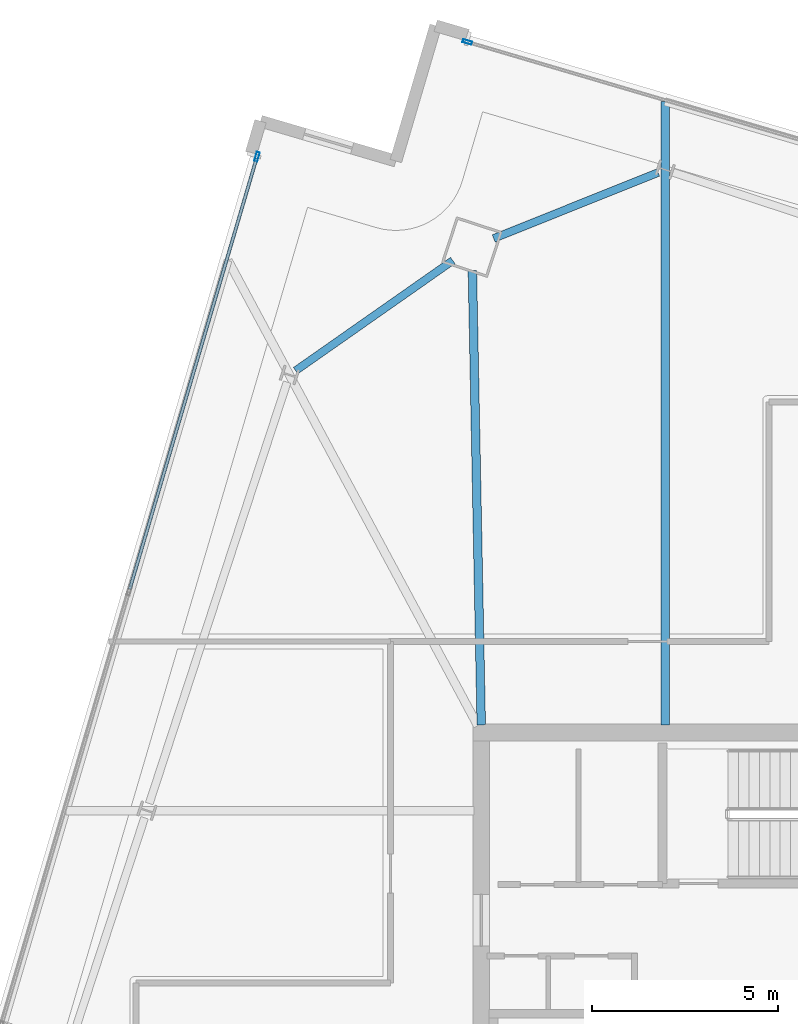
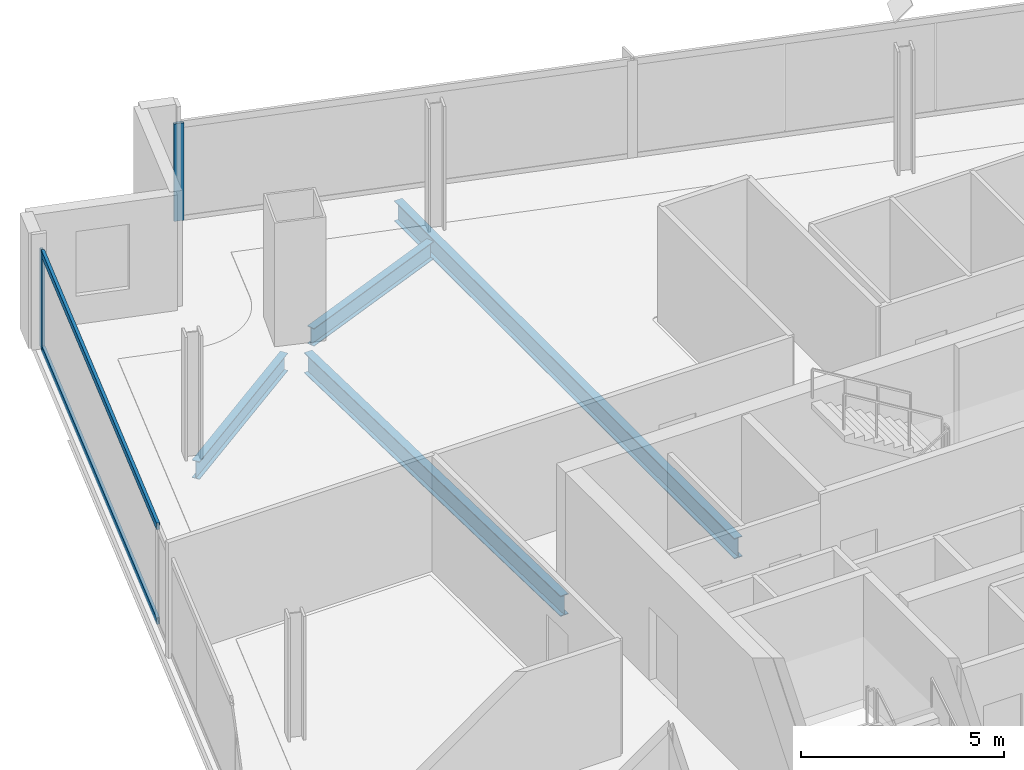
# One storey, part 14 of 26: 4 beams, 4 members, 2 elements without a shape of their own.
"""IFC4 building model written with IfcOpenShell, lengths in metres."""

from ifc_helpers import new_model, si_unit, direction, frame, origin, origin_2d, place, context, subcontext, project, spatial, hollow_rectangle, i_section, extrude, material, material_profile, profile_set, type_object, element, aggregate, save


model = new_model("IFC4")

# Units and contexts
model_context = context("Model", 3, precision=1e-05, world=origin(), true_north=direction((0.0, 1.0)))
body_context = subcontext(model_context, "Body", "Model", "MODEL_VIEW")
ifc_project = project(units=[si_unit("LENGTHUNIT", "METRE"), si_unit("AREAUNIT", "SQUARE_METRE"), si_unit("VOLUMEUNIT", "CUBIC_METRE"), si_unit("PLANEANGLEUNIT", "RADIAN"), si_unit("MASSUNIT", "GRAM", prefix="KILO")], contexts=[model_context])

# Site, building, storey
site_placement = place(None, origin())
site = spatial("IfcSite", under=ifc_project, at=site_placement, CompositionType="ELEMENT")
building_placement = place(site_placement, origin())
building = spatial("IfcBuilding", under=site, at=building_placement, Name="Haldenkirk Collegiate Tower", CompositionType="ELEMENT")
storey_placement = place(building_placement, frame((0.0, 0.0, 274.949951171875)))
storey = spatial("IfcBuildingStorey", under=building, at=storey_placement, Name="L69", CompositionType="ELEMENT", Elevation=274.949951171875)

# Beams
ifc_material_1 = material(Name="Steel ASTM A992 Grade 50", Category="steel")
ifc_material_profile_1 = material_profile(ifc_material_1, i_section(OverallWidth=0.22998046875, OverallDepth=0.616943359375, WebThickness=0.01318359375, FlangeThickness=0.022216796875, at=origin_2d()), Name="W24X94")
ifc_profile_set_1 = profile_set([ifc_material_profile_1], Name="Steel ASTM A992 Grade 50")
beam_type_1 = type_object("IfcBeamType", Name="BM-GIRDER-W24X94", PredefinedType="BEAM", material=ifc_profile_set_1)
beam_1_placement = place(storey_placement, frame((26.75732421875, 46.443603515625, -0.578369140625), z_axis=(0.019505953171, -0.999809740796, 0.0), x_axis=(0.999809740796, 0.019505953171, 0.0)))
element("IfcBeam", 1, at=beam_1_placement, inside=storey, type_object=beam_type_1, Name="L69 primary floor girder 03", PredefinedType="BEAM", context=body_context, shape_type="SweptSolid", body=[
    extrude(i_section(OverallWidth=0.22998046875, OverallDepth=0.616943359375, WebThickness=0.01318359375, FlangeThickness=0.022216796875, at=origin_2d()), origin(), (0.0, 0.0, 1.0), 12.240966796875),
])
beam_2_placement = place(storey_placement, frame((31.949462890625, 50.990234375, -0.578369140625), z_axis=(0.0, -1.0, 0.0), x_axis=(1.0, 0.0, 0.0)))
element("IfcBeam", 2, at=beam_2_placement, inside=storey, type_object=beam_type_1, Name="L69 primary floor girder 10", PredefinedType="BEAM", context=body_context, shape_type="SweptSolid", body=[
    extrude(i_section(OverallWidth=0.22998046875, OverallDepth=0.616943359375, WebThickness=0.01318359375, FlangeThickness=0.022216796875, at=origin_2d()), origin(), (0.0, 0.0, 1.0), 16.78515625),
])
ifc_material_profile_2 = material_profile(ifc_material_1, i_section(OverallWidth=0.2099609375, OverallDepth=0.537109375, WebThickness=0.010986328125, FlangeThickness=0.017333984375, at=origin_2d()), Name="W21X68")
ifc_profile_set_2 = profile_set([ifc_material_profile_2], Name="Steel ASTM A992 Grade 50")
beam_type_2 = type_object("IfcBeamType", Name="BM-SPANDREL-W21X68", PredefinedType="SPANDREL", material=ifc_profile_set_2)
beam_3_placement = place(storey_placement, frame((31.761474609375, 49.0830078125, -0.538330078125), z_axis=(-0.928296709602, -0.371840313768, 0.0), x_axis=(0.371840313768, -0.928296709602, 0.0)))
element("IfcBeam", 3, at=beam_3_placement, inside=storey, type_object=beam_type_2, Name="L69 perimeter spandrel beam 08", PredefinedType="SPANDREL", context=body_context, shape_type="SweptSolid", body=[
    extrude(i_section(OverallWidth=0.2099609375, OverallDepth=0.537109375, WebThickness=0.010986328125, FlangeThickness=0.017333984375, at=origin_2d()), origin(), (0.0, 0.0, 1.0), 4.77392578125),
])
beam_4_placement = place(storey_placement, frame((26.22900390625, 46.7119140625, -0.538330078125), z_axis=(-0.818927819185, -0.573896529842, 0.0), x_axis=(0.573896529842, -0.818927819185, 0.0)))
element("IfcBeam", 4, at=beam_4_placement, inside=storey, type_object=beam_type_2, Name="L69 perimeter spandrel beam 09", PredefinedType="SPANDREL", context=body_context, shape_type="SweptSolid", body=[
    extrude(i_section(OverallWidth=0.2099609375, OverallDepth=0.537109375, WebThickness=0.010986328125, FlangeThickness=0.017333984375, at=origin_2d()), origin(), (0.0, 0.0, 1.0), 5.169189453125),
])

# Curtain wall, member
ifc_material_2 = material(Name="Anodised architectural bronze aluminium", Category="aluminium")
curtain_wall_type = type_object("IfcCurtainWallType", Name="CW-SYS1B-CONVEX-HI", PredefinedType="USERDEFINED", material=ifc_material_2)
curtain_wall_1_placement = place(storey_placement, origin())
curtain_wall_1 = element("IfcCurtainWall", 5, at=curtain_wall_1_placement, inside=storey, type_object=curtain_wall_type, Name="L69 Upper tower high-wind convex bronze unitised curtain wall", ObjectType="UNITISED CURTAIN WALL", PredefinedType="USERDEFINED")
ifc_material_profile_3 = material_profile(ifc_material_2, hollow_rectangle(XDim=0.0849609375, YDim=0.25, WallThickness=0.0048828125, at=origin_2d()), Name="CW-MUL-1B")
ifc_profile_set_3 = profile_set([ifc_material_profile_3], Name="Anodised architectural bronze aluminium")
member_type_1 = type_object("IfcMemberType", Name="CW-MUL-1B", PredefinedType="MULLION", material=ifc_profile_set_3)
member_1_placement = place(storey_placement, frame((26.621337890625, 52.60009765625, 0.0), z_axis=(0.0, 0.0, 1.0), x_axis=(0.282341816085, 0.959313868809, 0.0)))
member_1 = element("IfcMember", 6, at=member_1_placement, type_object=member_type_1, Name="CW-1B mullion 1", PredefinedType="MULLION", context=body_context, shape_type="SweptSolid", body=[
    extrude(hollow_rectangle(XDim=0.0849609375, YDim=0.25, WallThickness=0.0048828125, at=origin_2d()), origin(), (0.0, 0.0, 1.0), 2.93798828125),
])
aggregate(curtain_wall_1, [member_1])

# Curtain wall, members
curtain_wall_2_placement = place(storey_placement, origin())
curtain_wall_2 = element("IfcCurtainWall", 7, at=curtain_wall_2_placement, inside=storey, type_object=curtain_wall_type, Name="L69 Upper tower high-wind convex bronze unitised curtain wall", ObjectType="UNITISED CURTAIN WALL", PredefinedType="USERDEFINED")
member_2_placement = place(storey_placement, frame((20.956298828125, 49.511474609375, 0.0), z_axis=(0.0, 0.0, 1.0), x_axis=(-0.959313201859, 0.282344082174, 0.0)))
member_2 = element("IfcMember", 8, at=member_2_placement, type_object=member_type_1, Name="CW-1B mullion 4", PredefinedType="MULLION", context=body_context, shape_type="SweptSolid", body=[
    extrude(hollow_rectangle(XDim=0.0849609375, YDim=0.25, WallThickness=0.0048828125, at=origin_2d()), origin(), (0.0, 0.0, 1.0), 2.93798828125),
])
ifc_material_profile_4 = material_profile(ifc_material_2, hollow_rectangle(XDim=0.0849609375, YDim=0.199951171875, WallThickness=0.0048828125, at=origin_2d()), Name="CW-TRN-1B")
ifc_profile_set_4 = profile_set([ifc_material_profile_4], Name="Anodised architectural bronze aluminium")
member_type_2 = type_object("IfcMemberType", Name="CW-TRN-1B", PredefinedType="USERDEFINED", material=ifc_profile_set_4)
member_3_placement = place(storey_placement, frame((17.5263671875, 37.857421875, 0.04248046875), z_axis=(0.282341016211, 0.959314104225, 0.0), x_axis=(-0.959314104225, 0.282341016211, 0.0)))
member_3 = element("IfcMember", 9, at=member_3_placement, type_object=member_type_2, Name="CW-1B transom 3.1", ObjectType="TRANSOM", PredefinedType="USERDEFINED", context=body_context, shape_type="SweptSolid", body=[
    extrude(hollow_rectangle(XDim=0.0849609375, YDim=0.199951171875, WallThickness=0.0048828125, at=origin_2d()), origin(), (0.0, 0.0, 1.0), 12.105712890625),
])
member_4_placement = place(storey_placement, frame((17.5263671875, 37.857421875, 2.8955078125), z_axis=(0.282341016211, 0.959314104225, 0.0), x_axis=(-0.959314104225, 0.282341016211, 0.0)))
member_4 = element("IfcMember", 10, at=member_4_placement, type_object=member_type_2, Name="CW-1B transom 3.2", ObjectType="TRANSOM", PredefinedType="USERDEFINED", context=body_context, shape_type="SweptSolid", body=[
    extrude(hollow_rectangle(XDim=0.0849609375, YDim=0.199951171875, WallThickness=0.0048828125, at=origin_2d()), origin(), (0.0, 0.0, 1.0), 12.105712890625),
])
aggregate(curtain_wall_2, [member_2, member_3, member_4])

save(model, "model.ifc")
